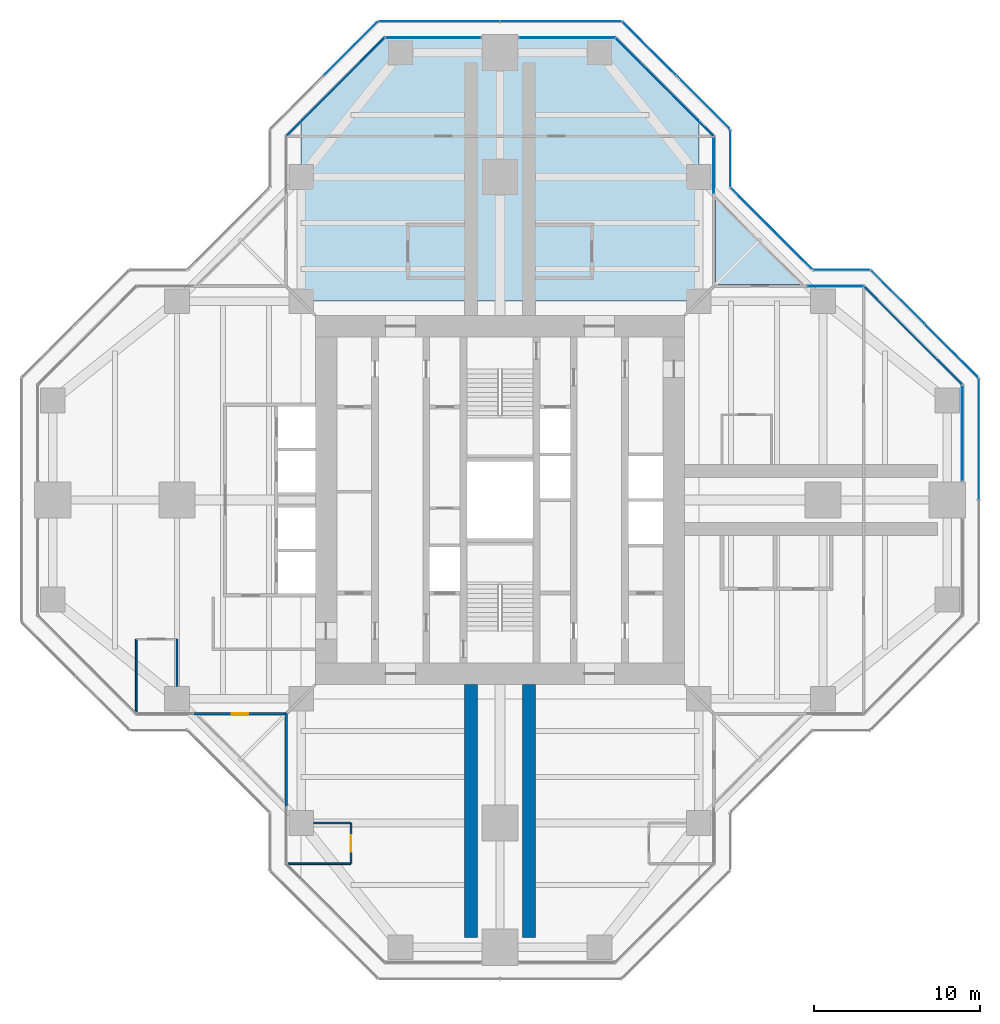
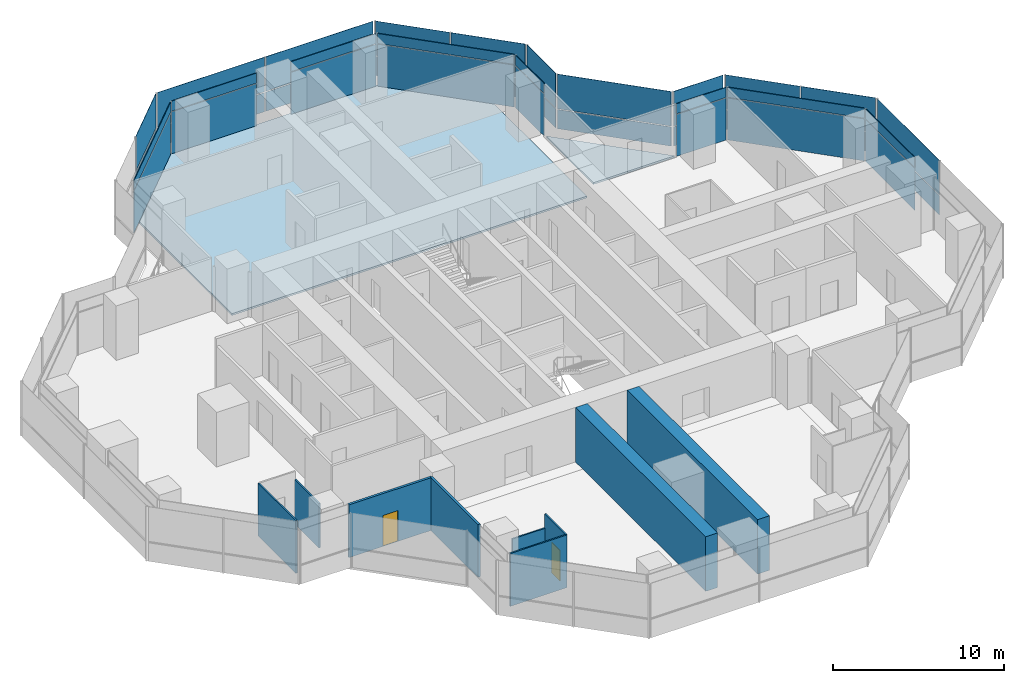
# One storey, part 12 of 17: 38 plates, 9 walls, 2 doors, 2 slabs, 2 openings, 16 elements without a shape of their own.
"""IFC4 building model written with IfcOpenShell, lengths in metres."""

from ifc_helpers import new_model, si_unit, direction, frame, frame_2d, origin, origin_2d, place, context, subcontext, project, spatial, polyline, rectangle, outline, extrude, material, layer, layer_set, type_object, element, fill, aggregate, save


model = new_model("IFC4")

# Units and contexts
model_context = context("Model", 3, precision=1e-05, world=origin(), true_north=direction((0.0, 1.0)))
body_context = subcontext(model_context, "Body", "Model", "MODEL_VIEW")
ifc_project = project(units=[si_unit("LENGTHUNIT", "METRE"), si_unit("AREAUNIT", "SQUARE_METRE"), si_unit("VOLUMEUNIT", "CUBIC_METRE"), si_unit("PLANEANGLEUNIT", "RADIAN"), si_unit("MASSUNIT", "GRAM", prefix="KILO")], contexts=[model_context])

# Site, building, storey
site_placement = place(None, origin())
site = spatial("IfcSite", under=ifc_project, at=site_placement, CompositionType="ELEMENT")
building_placement = place(site_placement, origin())
building = spatial("IfcBuilding", under=site, at=building_placement, Name="Mizan Broadcast Tower", CompositionType="ELEMENT")
storey_placement = place(building_placement, frame((0.0, 0.0, 228.300048828125)))
storey = spatial("IfcBuildingStorey", under=building, at=storey_placement, Name="L53", CompositionType="ELEMENT", Elevation=228.300048828125)

# Slab
ifc_material_1 = material(Name="Concrete C32/40", Category="concrete")
ifc_layer_1 = layer(ifc_material_1, 0.1298828125)
ifc_layer_set_1 = layer_set([ifc_layer_1], Name="Concrete C32/40")
slab_type_1 = type_object("IfcSlabType", Name="COMPOSITE DECK SLAB 130", PredefinedType="FLOOR", material=ifc_layer_set_1)
slab_1_placement = place(storey_placement, frame((0.0, 0.0, -0.130126953125)))
element("IfcSlab", 1, at=slab_1_placement, inside=storey, type_object=slab_type_1, Name="Floor slab L53 north arm", PredefinedType="FLOOR", context=body_context, shape_type="SweptSolid", body=[
    extrude(outline(polyline([(-7.0, 28.0), (-12.0, 23.0), (-12.0, 12.0), (12.0, 12.0), (12.0, 23.0), (7.0, 28.0), (-7.0, 28.0)])), origin(), (0.0, 0.0, 1.0), 0.130126953125),
])

# Curtain wall, plate
ifc_material_2 = material(Name="Aluminium framed glazing", Category="aluminium")
curtain_wall_type_1 = type_object("IfcCurtainWallType", Name="INNER SKIN HIGH ZONE", PredefinedType="USERDEFINED", material=ifc_material_2)
curtain_wall_1_placement = place(storey_placement, origin())
curtain_wall_1 = element("IfcCurtainWall", 2, at=curtain_wall_1_placement, inside=storey, type_object=curtain_wall_type_1, Name="Inner skin high zone L53 E end", ObjectType="INNER SKIN HIGH ZONE", PredefinedType="USERDEFINED")
ifc_material_3 = material(Name="Double glazing, clear low-e", Category="glass")
ifc_layer_2 = layer(ifc_material_3, 0.028076171875)
ifc_layer_set_2 = layer_set([ifc_layer_2], Name="Double glazing, clear low-e")
plate_type_1 = type_object("IfcPlateType", Name="INNER SKIN GLAZING UNIT", PredefinedType="CURTAIN_PANEL", material=ifc_layer_set_2)
plate_1_placement = place(storey_placement, frame((27.89990234375, 4.029296875, 0.0), z_axis=(0.0, 0.0, 1.0), x_axis=(0.0, 1.0, 0.0)))
plate_1 = element("IfcPlate", 3, at=plate_1_placement, type_object=plate_type_1, Name="Inner skin high zone L53 E end panel 1.1", PredefinedType="CURTAIN_PANEL", context=body_context, shape_type="SweptSolid", body=[
    extrude(rectangle(XDim=5.738525390625, YDim=0.028076171875, at=origin_2d()), origin(), (0.0, 0.0, 1.0), 3.0),
])

curtain_wall_2_placement = place(storey_placement, origin())
curtain_wall_2 = element("IfcCurtainWall", 4, at=curtain_wall_2_placement, inside=storey, type_object=curtain_wall_type_1, Name="Inner skin high zone L53 E chamfer", ObjectType="INNER SKIN HIGH ZONE", PredefinedType="USERDEFINED")
plate_2_placement = place(storey_placement, frame((24.92919921875, 9.92919921875, 0.0), z_axis=(0.0, 0.0, 1.0), x_axis=(-0.707106781187, 0.707106781187, 0.0)))
plate_2 = element("IfcPlate", 5, at=plate_2_placement, type_object=plate_type_1, Name="Inner skin high zone L53 E chamfer panel 1.1", PredefinedType="CURTAIN_PANEL", context=body_context, shape_type="SweptSolid", body=[
    extrude(rectangle(XDim=8.282470703125, YDim=0.028076171875, at=origin_2d()), origin(), (0.0, 0.0, 1.0), 3.0),
])

curtain_wall_3_placement = place(storey_placement, origin())
curtain_wall_3 = element("IfcCurtainWall", 6, at=curtain_wall_3_placement, inside=storey, type_object=curtain_wall_type_1, Name="Inner skin high zone L53 E side", ObjectType="INNER SKIN HIGH ZONE", PredefinedType="USERDEFINED")
plate_3_placement = place(storey_placement, frame((20.229248046875, 12.89990234375, 0.0), z_axis=(0.0, 0.0, 1.0), x_axis=(-1.0, 0.0, 0.0)))
plate_3 = element("IfcPlate", 7, at=plate_3_placement, type_object=plate_type_1, Name="Inner skin high zone L53 E side panel 1.1", PredefinedType="CURTAIN_PANEL", context=body_context, shape_type="SweptSolid", body=[
    extrude(rectangle(XDim=3.338623046875, YDim=0.028076171875, at=origin_2d()), origin(), (0.0, 0.0, 1.0), 3.0),
])

curtain_wall_4_placement = place(storey_placement, origin())
curtain_wall_4 = element("IfcCurtainWall", 8, at=curtain_wall_4_placement, inside=storey, type_object=curtain_wall_type_1, Name="Inner skin high zone L53 N side", ObjectType="INNER SKIN HIGH ZONE", PredefinedType="USERDEFINED")
plate_4_placement = place(storey_placement, frame((12.89990234375, 20.229248046875, 0.0), z_axis=(0.0, 0.0, 1.0), x_axis=(0.0, 1.0, 0.0)))
plate_4 = element("IfcPlate", 9, at=plate_4_placement, type_object=plate_type_1, Name="Inner skin high zone L53 N side panel 1.1", PredefinedType="CURTAIN_PANEL", context=body_context, shape_type="SweptSolid", body=[
    extrude(rectangle(XDim=3.338623046875, YDim=0.028076171875, at=origin_2d()), origin(), (0.0, 0.0, 1.0), 3.0),
])

curtain_wall_5_placement = place(storey_placement, origin())
curtain_wall_5 = element("IfcCurtainWall", 10, at=curtain_wall_5_placement, inside=storey, type_object=curtain_wall_type_1, Name="Inner skin high zone L53 N chamfer", ObjectType="INNER SKIN HIGH ZONE", PredefinedType="USERDEFINED")
plate_5_placement = place(storey_placement, frame((9.92919921875, 24.92919921875, 0.0), z_axis=(0.0, 0.0, 1.0), x_axis=(-0.707106781187, 0.707106781187, 0.0)))
plate_5 = element("IfcPlate", 11, at=plate_5_placement, type_object=plate_type_1, Name="Inner skin high zone L53 N chamfer panel 1.1", PredefinedType="CURTAIN_PANEL", context=body_context, shape_type="SweptSolid", body=[
    extrude(rectangle(XDim=8.282470703125, YDim=0.028076171875, at=origin_2d()), origin(), (0.0, 0.0, 1.0), 3.0),
])

curtain_wall_6_placement = place(storey_placement, origin())
curtain_wall_6 = element("IfcCurtainWall", 12, at=curtain_wall_6_placement, inside=storey, type_object=curtain_wall_type_1, Name="Inner skin high zone L53 N end", ObjectType="INNER SKIN HIGH ZONE", PredefinedType="USERDEFINED")
plate_6_placement = place(storey_placement, frame((4.029296875, 27.89990234375, 0.0), z_axis=(0.0, 0.0, 1.0), x_axis=(-1.0, 0.0, 0.0)))
plate_6 = element("IfcPlate", 13, at=plate_6_placement, type_object=plate_type_1, Name="Inner skin high zone L53 N end panel 1.1", PredefinedType="CURTAIN_PANEL", context=body_context, shape_type="SweptSolid", body=[
    extrude(rectangle(XDim=5.738525390625, YDim=0.028076171875, at=origin_2d()), origin(), (0.0, 0.0, 1.0), 3.0),
])

curtain_wall_7_placement = place(storey_placement, origin())
curtain_wall_7 = element("IfcCurtainWall", 14, at=curtain_wall_7_placement, inside=storey, type_object=curtain_wall_type_1, Name="Inner skin high zone L53 N end", ObjectType="INNER SKIN HIGH ZONE", PredefinedType="USERDEFINED")
plate_7_placement = place(storey_placement, frame((-4.029296875, 27.89990234375, 0.0), z_axis=(0.0, 0.0, 1.0), x_axis=(-1.0, 0.0, 0.0)))
plate_7 = element("IfcPlate", 15, at=plate_7_placement, type_object=plate_type_1, Name="Inner skin high zone L53 N end panel 1.1", PredefinedType="CURTAIN_PANEL", context=body_context, shape_type="SweptSolid", body=[
    extrude(rectangle(XDim=5.738525390625, YDim=0.028076171875, at=origin_2d()), origin(), (0.0, 0.0, 1.0), 3.0),
])

curtain_wall_8_placement = place(storey_placement, origin())
curtain_wall_8 = element("IfcCurtainWall", 16, at=curtain_wall_8_placement, inside=storey, type_object=curtain_wall_type_1, Name="Inner skin high zone L53 N chamfer", ObjectType="INNER SKIN HIGH ZONE", PredefinedType="USERDEFINED")
plate_8_placement = place(storey_placement, frame((-9.92919921875, 24.92919921875, 0.0), z_axis=(0.0, 0.0, 1.0), x_axis=(-0.707106781187, -0.707106781187, 0.0)))
plate_8 = element("IfcPlate", 17, at=plate_8_placement, type_object=plate_type_1, Name="Inner skin high zone L53 N chamfer panel 1.1", PredefinedType="CURTAIN_PANEL", context=body_context, shape_type="SweptSolid", body=[
    extrude(rectangle(XDim=8.282470703125, YDim=0.028076171875, at=origin_2d()), origin(), (0.0, 0.0, 1.0), 3.0),
])

# Plate
ifc_material_4 = material(Name="Insulated aluminium spandrel panel, pale anodised", Category="aluminium")
ifc_layer_3 = layer(ifc_material_4, 0.050048828125)
ifc_layer_set_3 = layer_set([ifc_layer_3], Name="Insulated aluminium spandrel panel, pale anodised")
plate_type_2 = type_object("IfcPlateType", Name="INNER SKIN SPANDREL PANEL", PredefinedType="CURTAIN_PANEL", material=ifc_layer_set_3)
plate_9_placement = place(storey_placement, frame((27.89990234375, 4.029296875, 3.06005859375), z_axis=(0.0, 0.0, 1.0), x_axis=(0.0, 1.0, 0.0)))
plate_9 = element("IfcPlate", 18, at=plate_9_placement, type_object=plate_type_2, Name="Inner skin high zone L53 E end panel 1.2", PredefinedType="CURTAIN_PANEL", context=body_context, shape_type="SweptSolid", body=[
    extrude(rectangle(XDim=5.738525390625, YDim=0.050048828125, at=origin_2d()), origin(), (0.0, 0.0, 1.0), 0.7099609375),
])

aggregate(curtain_wall_1, [plate_1, plate_9])

plate_10_placement = place(storey_placement, frame((24.92919921875, 9.92919921875, 3.06005859375), z_axis=(0.0, 0.0, 1.0), x_axis=(-0.707106781187, 0.707106781187, 0.0)))
plate_10 = element("IfcPlate", 19, at=plate_10_placement, type_object=plate_type_2, Name="Inner skin high zone L53 E chamfer panel 1.2", PredefinedType="CURTAIN_PANEL", context=body_context, shape_type="SweptSolid", body=[
    extrude(rectangle(XDim=8.282470703125, YDim=0.050048828125, at=origin_2d()), origin(), (0.0, 0.0, 1.0), 0.7099609375),
])

aggregate(curtain_wall_2, [plate_2, plate_10])

plate_11_placement = place(storey_placement, frame((20.229248046875, 12.89990234375, 3.06005859375), z_axis=(0.0, 0.0, 1.0), x_axis=(-1.0, 0.0, 0.0)))
plate_11 = element("IfcPlate", 20, at=plate_11_placement, type_object=plate_type_2, Name="Inner skin high zone L53 E side panel 1.2", PredefinedType="CURTAIN_PANEL", context=body_context, shape_type="SweptSolid", body=[
    extrude(rectangle(XDim=3.338623046875, YDim=0.050048828125, at=origin_2d()), origin(), (0.0, 0.0, 1.0), 0.7099609375),
])

aggregate(curtain_wall_3, [plate_3, plate_11])

plate_12_placement = place(storey_placement, frame((12.89990234375, 20.229248046875, 3.06005859375), z_axis=(0.0, 0.0, 1.0), x_axis=(0.0, 1.0, 0.0)))
plate_12 = element("IfcPlate", 21, at=plate_12_placement, type_object=plate_type_2, Name="Inner skin high zone L53 N side panel 1.2", PredefinedType="CURTAIN_PANEL", context=body_context, shape_type="SweptSolid", body=[
    extrude(rectangle(XDim=3.338623046875, YDim=0.050048828125, at=origin_2d()), origin(), (0.0, 0.0, 1.0), 0.7099609375),
])

aggregate(curtain_wall_4, [plate_4, plate_12])

plate_13_placement = place(storey_placement, frame((9.92919921875, 24.92919921875, 3.06005859375), z_axis=(0.0, 0.0, 1.0), x_axis=(-0.707106781187, 0.707106781187, 0.0)))
plate_13 = element("IfcPlate", 22, at=plate_13_placement, type_object=plate_type_2, Name="Inner skin high zone L53 N chamfer panel 1.2", PredefinedType="CURTAIN_PANEL", context=body_context, shape_type="SweptSolid", body=[
    extrude(rectangle(XDim=8.282470703125, YDim=0.050048828125, at=origin_2d()), origin(), (0.0, 0.0, 1.0), 0.7099609375),
])

aggregate(curtain_wall_5, [plate_5, plate_13])

plate_14_placement = place(storey_placement, frame((4.029296875, 27.89990234375, 3.06005859375), z_axis=(0.0, 0.0, 1.0), x_axis=(-1.0, 0.0, 0.0)))
plate_14 = element("IfcPlate", 23, at=plate_14_placement, type_object=plate_type_2, Name="Inner skin high zone L53 N end panel 1.2", PredefinedType="CURTAIN_PANEL", context=body_context, shape_type="SweptSolid", body=[
    extrude(rectangle(XDim=5.738525390625, YDim=0.050048828125, at=origin_2d()), origin(), (0.0, 0.0, 1.0), 0.7099609375),
])

aggregate(curtain_wall_6, [plate_6, plate_14])

plate_15_placement = place(storey_placement, frame((-4.029296875, 27.89990234375, 3.06005859375), z_axis=(0.0, 0.0, 1.0), x_axis=(-1.0, 0.0, 0.0)))
plate_15 = element("IfcPlate", 24, at=plate_15_placement, type_object=plate_type_2, Name="Inner skin high zone L53 N end panel 1.2", PredefinedType="CURTAIN_PANEL", context=body_context, shape_type="SweptSolid", body=[
    extrude(rectangle(XDim=5.738525390625, YDim=0.050048828125, at=origin_2d()), origin(), (0.0, 0.0, 1.0), 0.7099609375),
])

aggregate(curtain_wall_7, [plate_7, plate_15])

plate_16_placement = place(storey_placement, frame((-9.92919921875, 24.92919921875, 3.06005859375), z_axis=(0.0, 0.0, 1.0), x_axis=(-0.707106781187, -0.707106781187, 0.0)))
plate_16 = element("IfcPlate", 25, at=plate_16_placement, type_object=plate_type_2, Name="Inner skin high zone L53 N chamfer panel 1.2", PredefinedType="CURTAIN_PANEL", context=body_context, shape_type="SweptSolid", body=[
    extrude(rectangle(XDim=8.282470703125, YDim=0.050048828125, at=origin_2d()), origin(), (0.0, 0.0, 1.0), 0.7099609375),
])

aggregate(curtain_wall_8, [plate_8, plate_16])

# Curtain wall, plates
ifc_material_5 = material(Name="Aluminium framed glazing", Category="aluminium")
curtain_wall_type_2 = type_object("IfcCurtainWallType", Name="OUTER SKIN", PredefinedType="USERDEFINED", material=ifc_material_5)
curtain_wall_9_placement = place(storey_placement, origin())
curtain_wall_9 = element("IfcCurtainWall", 26, at=curtain_wall_9_placement, inside=storey, type_object=curtain_wall_type_2, Name="Outer skin L53 E chamfer", ObjectType="OUTER SKIN", PredefinedType="USERDEFINED")
ifc_material_6 = material(Name="Laminated clear glass", Category="glass")
ifc_layer_4 = layer(ifc_material_6, 0.02001953125)
ifc_layer_set_4 = layer_set([ifc_layer_4], Name="Laminated clear glass")
plate_type_3 = type_object("IfcPlateType", Name="OUTER SKIN CLEAR GLASS", PredefinedType="CURTAIN_PANEL", material=ifc_layer_set_4)
plate_17_placement = place(storey_placement, frame((27.254150390625, 9.018798828125, 0.0), z_axis=(0.0, 0.0, 1.0), x_axis=(-0.707106781187, 0.707106781187, 0.0)))
plate_17 = element("IfcPlate", 27, at=plate_17_placement, type_object=plate_type_3, Name="Outer skin L53 E chamfer panel 1.1", PredefinedType="CURTAIN_PANEL", context=body_context, shape_type="SweptSolid", body=[
    extrude(rectangle(XDim=4.495361328125, YDim=0.02001953125, at=origin_2d()), origin(), (0.0, 0.0, 1.0), 1.3701171875),
])
plate_18_placement = place(storey_placement, frame((27.254150390625, 9.018798828125, 1.43017578125), z_axis=(0.0, 0.0, 1.0), x_axis=(-0.707106781187, 0.707106781187, 0.0)))
plate_18 = element("IfcPlate", 28, at=plate_18_placement, type_object=plate_type_3, Name="Outer skin L53 E chamfer panel 1.2", PredefinedType="CURTAIN_PANEL", context=body_context, shape_type="SweptSolid", body=[
    extrude(rectangle(XDim=4.495361328125, YDim=0.02001953125, at=origin_2d()), origin(), (0.0, 0.0, 1.0), 2.469970703125),
])

curtain_wall_10_placement = place(storey_placement, origin())
curtain_wall_10 = element("IfcCurtainWall", 29, at=curtain_wall_10_placement, inside=storey, type_object=curtain_wall_type_2, Name="Outer skin L53 E side", ObjectType="OUTER SKIN", PredefinedType="USERDEFINED")
plate_19_placement = place(storey_placement, frame((20.622802734375, 13.89990234375, 0.0), z_axis=(0.0, 0.0, 1.0), x_axis=(-1.0, 0.0, 0.0)))
plate_19 = element("IfcPlate", 30, at=plate_19_placement, type_object=plate_type_3, Name="Outer skin L53 E side panel 1.1", PredefinedType="CURTAIN_PANEL", context=body_context, shape_type="SweptSolid", body=[
    extrude(rectangle(XDim=3.340087890625, YDim=0.02001953125, at=origin_2d()), origin(), (0.0, 0.0, 1.0), 1.3701171875),
])
plate_20_placement = place(storey_placement, frame((20.622802734375, 13.89990234375, 1.43017578125), z_axis=(0.0, 0.0, 1.0), x_axis=(-1.0, 0.0, 0.0)))
plate_20 = element("IfcPlate", 31, at=plate_20_placement, type_object=plate_type_3, Name="Outer skin L53 E side panel 1.2", PredefinedType="CURTAIN_PANEL", context=body_context, shape_type="SweptSolid", body=[
    extrude(rectangle(XDim=3.340087890625, YDim=0.02001953125, at=origin_2d()), origin(), (0.0, 0.0, 1.0), 2.469970703125),
])
aggregate(curtain_wall_10, [plate_19, plate_20])

curtain_wall_11_placement = place(storey_placement, origin())
curtain_wall_11 = element("IfcCurtainWall", 32, at=curtain_wall_11_placement, inside=storey, type_object=curtain_wall_type_2, Name="Outer skin L53 E chamfer", ObjectType="OUTER SKIN", PredefinedType="USERDEFINED")
plate_21_placement = place(storey_placement, frame((16.386474609375, 16.386474609375, 0.0), z_axis=(0.0, 0.0, 1.0), x_axis=(-0.707106781187, 0.707106781187, 0.0)))
plate_21 = element("IfcPlate", 33, at=plate_21_placement, type_object=plate_type_3, Name="Outer skin L53 E chamfer panel 1.1", PredefinedType="CURTAIN_PANEL", context=body_context, shape_type="SweptSolid", body=[
    extrude(rectangle(XDim=6.87255859375, YDim=0.02001953125, at=origin_2d()), origin(), (0.0, 0.0, 1.0), 1.3701171875),
])
plate_22_placement = place(storey_placement, frame((16.386474609375, 16.386474609375, 1.43017578125), z_axis=(0.0, 0.0, 1.0), x_axis=(-0.707106781187, 0.707106781187, 0.0)))
plate_22 = element("IfcPlate", 34, at=plate_22_placement, type_object=plate_type_3, Name="Outer skin L53 E chamfer panel 1.2", PredefinedType="CURTAIN_PANEL", context=body_context, shape_type="SweptSolid", body=[
    extrude(rectangle(XDim=6.87255859375, YDim=0.02001953125, at=origin_2d()), origin(), (0.0, 0.0, 1.0), 2.469970703125),
])
aggregate(curtain_wall_11, [plate_21, plate_22])

curtain_wall_12_placement = place(storey_placement, origin())
curtain_wall_12 = element("IfcCurtainWall", 35, at=curtain_wall_12_placement, inside=storey, type_object=curtain_wall_type_2, Name="Outer skin L53 N side", ObjectType="OUTER SKIN", PredefinedType="USERDEFINED")
plate_23_placement = place(storey_placement, frame((13.89990234375, 20.622802734375, 0.0), z_axis=(0.0, 0.0, 1.0), x_axis=(0.0, 1.0, 0.0)))
plate_23 = element("IfcPlate", 36, at=plate_23_placement, type_object=plate_type_3, Name="Outer skin L53 N side panel 1.1", PredefinedType="CURTAIN_PANEL", context=body_context, shape_type="SweptSolid", body=[
    extrude(rectangle(XDim=3.340087890625, YDim=0.02001953125, at=origin_2d()), origin(), (0.0, 0.0, 1.0), 1.3701171875),
])
plate_24_placement = place(storey_placement, frame((13.89990234375, 20.622802734375, 1.43017578125), z_axis=(0.0, 0.0, 1.0), x_axis=(0.0, 1.0, 0.0)))
plate_24 = element("IfcPlate", 37, at=plate_24_placement, type_object=plate_type_3, Name="Outer skin L53 N side panel 1.2", PredefinedType="CURTAIN_PANEL", context=body_context, shape_type="SweptSolid", body=[
    extrude(rectangle(XDim=3.340087890625, YDim=0.02001953125, at=origin_2d()), origin(), (0.0, 0.0, 1.0), 2.469970703125),
])
aggregate(curtain_wall_12, [plate_23, plate_24])

curtain_wall_13_placement = place(storey_placement, origin())
curtain_wall_13 = element("IfcCurtainWall", 38, at=curtain_wall_13_placement, inside=storey, type_object=curtain_wall_type_2, Name="Outer skin L53 N chamfer", ObjectType="OUTER SKIN", PredefinedType="USERDEFINED")
plate_25_placement = place(storey_placement, frame((12.254150390625, 24.018798828125, 0.0), z_axis=(0.0, 0.0, 1.0), x_axis=(-0.707106781187, 0.707106781187, 0.0)))
plate_25 = element("IfcPlate", 39, at=plate_25_placement, type_object=plate_type_3, Name="Outer skin L53 N chamfer panel 1.1", PredefinedType="CURTAIN_PANEL", context=body_context, shape_type="SweptSolid", body=[
    extrude(rectangle(XDim=4.495361328125, YDim=0.02001953125, at=origin_2d()), origin(), (0.0, 0.0, 1.0), 1.3701171875),
])
plate_26_placement = place(storey_placement, frame((12.254150390625, 24.018798828125, 1.43017578125), z_axis=(0.0, 0.0, 1.0), x_axis=(-0.707106781187, 0.707106781187, 0.0)))
plate_26 = element("IfcPlate", 40, at=plate_26_placement, type_object=plate_type_3, Name="Outer skin L53 N chamfer panel 1.2", PredefinedType="CURTAIN_PANEL", context=body_context, shape_type="SweptSolid", body=[
    extrude(rectangle(XDim=4.495361328125, YDim=0.02001953125, at=origin_2d()), origin(), (0.0, 0.0, 1.0), 2.469970703125),
])

curtain_wall_14_placement = place(storey_placement, origin())
curtain_wall_14 = element("IfcCurtainWall", 41, at=curtain_wall_14_placement, inside=storey, type_object=curtain_wall_type_2, Name="Outer skin L53 N end", ObjectType="OUTER SKIN", PredefinedType="USERDEFINED")
plate_27_placement = place(storey_placement, frame((3.66650390625, 28.89990234375, 0.0), z_axis=(0.0, 0.0, 1.0), x_axis=(-1.0, 0.0, 0.0)))
plate_27 = element("IfcPlate", 42, at=plate_27_placement, type_object=plate_type_3, Name="Outer skin L53 N end panel 1.1", PredefinedType="CURTAIN_PANEL", context=body_context, shape_type="SweptSolid", body=[
    extrude(rectangle(XDim=7.252685546875, YDim=0.02001953125, at=origin_2d()), origin(), (0.0, 0.0, 1.0), 1.3701171875),
])
plate_28_placement = place(storey_placement, frame((3.66650390625, 28.89990234375, 1.43017578125), z_axis=(0.0, 0.0, 1.0), x_axis=(-1.0, 0.0, 0.0)))
plate_28 = element("IfcPlate", 43, at=plate_28_placement, type_object=plate_type_3, Name="Outer skin L53 N end panel 1.2", PredefinedType="CURTAIN_PANEL", context=body_context, shape_type="SweptSolid", body=[
    extrude(rectangle(XDim=7.252685546875, YDim=0.02001953125, at=origin_2d()), origin(), (0.0, 0.0, 1.0), 2.469970703125),
])
plate_29_placement = place(storey_placement, frame((-3.66650390625, 28.89990234375, 0.0), z_axis=(0.0, 0.0, 1.0), x_axis=(-1.0, 0.0, 0.0)))
plate_29 = element("IfcPlate", 44, at=plate_29_placement, type_object=plate_type_3, Name="Outer skin L53 N end panel 2.1", PredefinedType="CURTAIN_PANEL", context=body_context, shape_type="SweptSolid", body=[
    extrude(rectangle(XDim=7.252685546875, YDim=0.02001953125, at=origin_2d()), origin(), (0.0, 0.0, 1.0), 1.3701171875),
])
plate_30_placement = place(storey_placement, frame((-3.66650390625, 28.89990234375, 1.43017578125), z_axis=(0.0, 0.0, 1.0), x_axis=(-1.0, 0.0, 0.0)))
plate_30 = element("IfcPlate", 45, at=plate_30_placement, type_object=plate_type_3, Name="Outer skin L53 N end panel 2.2", PredefinedType="CURTAIN_PANEL", context=body_context, shape_type="SweptSolid", body=[
    extrude(rectangle(XDim=7.252685546875, YDim=0.02001953125, at=origin_2d()), origin(), (0.0, 0.0, 1.0), 2.469970703125),
])
aggregate(curtain_wall_14, [plate_27, plate_28, plate_29, plate_30])

curtain_wall_15_placement = place(storey_placement, origin())
curtain_wall_15 = element("IfcCurtainWall", 46, at=curtain_wall_15_placement, inside=storey, type_object=curtain_wall_type_2, Name="Outer skin L53 N chamfer", ObjectType="OUTER SKIN", PredefinedType="USERDEFINED")
plate_31_placement = place(storey_placement, frame((-9.018798828125, 27.254150390625, 0.0), z_axis=(0.0, 0.0, 1.0), x_axis=(-0.707106781187, -0.707106781187, 0.0)))
plate_31 = element("IfcPlate", 47, at=plate_31_placement, type_object=plate_type_3, Name="Outer skin L53 N chamfer panel 1.1", PredefinedType="CURTAIN_PANEL", context=body_context, shape_type="SweptSolid", body=[
    extrude(rectangle(XDim=4.495361328125, YDim=0.02001953125, at=origin_2d()), origin(), (0.0, 0.0, 1.0), 1.3701171875),
])
plate_32_placement = place(storey_placement, frame((-9.018798828125, 27.254150390625, 1.43017578125), z_axis=(0.0, 0.0, 1.0), x_axis=(-0.707106781187, -0.707106781187, 0.0)))
plate_32 = element("IfcPlate", 48, at=plate_32_placement, type_object=plate_type_3, Name="Outer skin L53 N chamfer panel 1.2", PredefinedType="CURTAIN_PANEL", context=body_context, shape_type="SweptSolid", body=[
    extrude(rectangle(XDim=4.495361328125, YDim=0.02001953125, at=origin_2d()), origin(), (0.0, 0.0, 1.0), 2.469970703125),
])
aggregate(curtain_wall_15, [plate_31, plate_32])

curtain_wall_16_placement = place(storey_placement, origin())
curtain_wall_16 = element("IfcCurtainWall", 49, at=curtain_wall_16_placement, inside=storey, type_object=curtain_wall_type_2, Name="Outer skin L53 E end", ObjectType="OUTER SKIN", PredefinedType="USERDEFINED")
ifc_material_7 = material(Name="Perforated aluminium, pale anodised", Category="aluminium")
ifc_layer_5 = layer(ifc_material_7, 0.011962890625)
ifc_layer_set_5 = layer_set([ifc_layer_5], Name="Perforated aluminium, pale anodised")
plate_type_4 = type_object("IfcPlateType", Name="OUTER SKIN PERFORATED SCREEN", PredefinedType="USERDEFINED", material=ifc_layer_set_5)
plate_33_placement = place(storey_placement, frame((28.89990234375, 3.66650390625, 0.0), z_axis=(0.0, 0.0, 1.0), x_axis=(0.0, 1.0, 0.0)))
plate_33 = element("IfcPlate", 50, at=plate_33_placement, type_object=plate_type_4, Name="Outer skin L53 E end panel 2.1", ObjectType="SCREEN", PredefinedType="USERDEFINED", context=body_context, shape_type="SweptSolid", body=[
    extrude(rectangle(XDim=7.252685546875, YDim=0.011962890625, at=origin_2d()), origin(), (0.0, 0.0, 1.0), 1.3701171875),
])
plate_34_placement = place(storey_placement, frame((28.89990234375, 3.66650390625, 1.43017578125), z_axis=(0.0, 0.0, 1.0), x_axis=(0.0, 1.0, 0.0)))
plate_34 = element("IfcPlate", 51, at=plate_34_placement, type_object=plate_type_4, Name="Outer skin L53 E end panel 2.2", ObjectType="SCREEN", PredefinedType="USERDEFINED", context=body_context, shape_type="SweptSolid", body=[
    extrude(rectangle(XDim=7.252685546875, YDim=0.011962890625, at=origin_2d()), origin(), (0.0, 0.0, 1.0), 2.469970703125),
])
aggregate(curtain_wall_16, [plate_33, plate_34])

# Plate
plate_35_placement = place(storey_placement, frame((24.018798828125, 12.254150390625, 0.0), z_axis=(0.0, 0.0, 1.0), x_axis=(-0.707106781187, 0.707106781187, 0.0)))
plate_35 = element("IfcPlate", 52, at=plate_35_placement, type_object=plate_type_4, Name="Outer skin L53 E chamfer panel 2.1", ObjectType="SCREEN", PredefinedType="USERDEFINED", context=body_context, shape_type="SweptSolid", body=[
    extrude(rectangle(XDim=4.495361328125, YDim=0.011962890625, at=origin_2d()), origin(), (0.0, 0.0, 1.0), 1.3701171875),
])

plate_36_placement = place(storey_placement, frame((24.018798828125, 12.254150390625, 1.43017578125), z_axis=(0.0, 0.0, 1.0), x_axis=(-0.707106781187, 0.707106781187, 0.0)))
plate_36 = element("IfcPlate", 53, at=plate_36_placement, type_object=plate_type_4, Name="Outer skin L53 E chamfer panel 2.2", ObjectType="SCREEN", PredefinedType="USERDEFINED", context=body_context, shape_type="SweptSolid", body=[
    extrude(rectangle(XDim=4.495361328125, YDim=0.011962890625, at=origin_2d()), origin(), (0.0, 0.0, 1.0), 2.469970703125),
])

aggregate(curtain_wall_9, [plate_17, plate_18, plate_35, plate_36])

plate_37_placement = place(storey_placement, frame((9.018798828125, 27.254150390625, 0.0), z_axis=(0.0, 0.0, 1.0), x_axis=(-0.707106781187, 0.707106781187, 0.0)))
plate_37 = element("IfcPlate", 54, at=plate_37_placement, type_object=plate_type_4, Name="Outer skin L53 N chamfer panel 2.1", ObjectType="SCREEN", PredefinedType="USERDEFINED", context=body_context, shape_type="SweptSolid", body=[
    extrude(rectangle(XDim=4.495361328125, YDim=0.011962890625, at=origin_2d()), origin(), (0.0, 0.0, 1.0), 1.3701171875),
])

plate_38_placement = place(storey_placement, frame((9.018798828125, 27.254150390625, 1.43017578125), z_axis=(0.0, 0.0, 1.0), x_axis=(-0.707106781187, 0.707106781187, 0.0)))
plate_38 = element("IfcPlate", 55, at=plate_38_placement, type_object=plate_type_4, Name="Outer skin L53 N chamfer panel 2.2", ObjectType="SCREEN", PredefinedType="USERDEFINED", context=body_context, shape_type="SweptSolid", body=[
    extrude(rectangle(XDim=4.495361328125, YDim=0.011962890625, at=origin_2d()), origin(), (0.0, 0.0, 1.0), 2.469970703125),
])

aggregate(curtain_wall_13, [plate_25, plate_26, plate_37, plate_38])

# Slab
ifc_material_8 = material(Name="Concrete C32/40", Category="concrete")
ifc_layer_6 = layer(ifc_material_8, 0.1298828125)
ifc_layer_set_6 = layer_set([ifc_layer_6], Name="Concrete C32/40")
slab_type_2 = type_object("IfcSlabType", Name="WINTER GARDEN SLAB 130", PredefinedType="FLOOR", material=ifc_layer_set_6)
slab_2_placement = place(storey_placement, frame((0.0, 0.0, -0.130126953125)))
element("IfcSlab", 56, at=slab_2_placement, inside=storey, type_object=slab_type_2, Name="Winter garden slab L53 E", PredefinedType="FLOOR", context=body_context, shape_type="SweptSolid", body=[
    extrude(outline(polyline([(13.0, 13.0), (18.5, 13.0), (13.0, 18.5), (13.0, 13.0)])), origin(), (0.0, 0.0, 1.0), 0.130126953125),
])

# Wall, opening, door
ifc_material_9 = material(Name="Aluminium framed glazed screen", Category="aluminium")
ifc_layer_7 = layer(ifc_material_9, 0.159912109375)
ifc_layer_set_7 = layer_set([ifc_layer_7], Name="Aluminium framed glazed screen")
wall_type_1 = type_object("IfcWallType", Name="GLAZED SCREEN WALL 160", PredefinedType="SOLIDWALL", material=ifc_layer_set_7)
wall_1_placement = place(storey_placement, frame((-18.5, -12.89990234375, 0.0), z_axis=(0.0, 0.0, 1.0), x_axis=(1.0, 0.0, 0.0)))
wall_1 = element("IfcWall", 57, at=wall_1_placement, inside=storey, type_object=wall_type_1, Name="Winter garden screen L53 W", PredefinedType="SOLIDWALL", context=body_context, shape_type="SweptSolid", body=[
    extrude(rectangle(XDim=5.60009765625, YDim=0.159912109375, at=frame_2d((2.800048828125, 0.0))), origin(), (0.0, 0.0, 1.0), 3.77001953125),
])
opening_1_placement = place(wall_1_placement, frame((2.300048828125, 0.0, 0.0)))
opening_1 = element("IfcOpeningElement", 58, at=opening_1_placement, cuts=wall_1, Name="Opening WGD", PredefinedType="OPENING", context=body_context, shape_type="SweptSolid", body=[
    extrude(rectangle(XDim=1.0, YDim=2.199951171875, at=frame_2d((0.5, 1.10009765625))), frame((0.0, 0.08984375, 0.0), z_axis=(0.0, -1.0, 0.0), x_axis=(1.0, 0.0, 0.0)), (0.0, 0.0, 1.0), 0.179931640625),
])
ifc_material_10 = material(Name="Aluminium framed glazed door", Category="aluminium")
door_type_1 = type_object("IfcDoorType", Name="WINTER GARDEN DOOR 1000 GLAZED", OperationType="SINGLE_SWING_LEFT", PredefinedType="DOOR", material=ifc_material_10)
door_1_placement = place(opening_1_placement, origin())
door_1 = element("IfcDoor", 59, at=door_1_placement, inside=storey, type_object=door_type_1, Name="Winter garden door L53 W", OperationType="SINGLE_SWING_RIGHT", OverallHeight=2.199951171875, OverallWidth=1.0, PredefinedType="DOOR", context=body_context, shape_type="SweptSolid", body=[
    extrude(rectangle(XDim=1.0, YDim=2.199951171875, at=frame_2d((0.5, 1.10009765625))), frame((0.0, 0.02490234375, 0.0), z_axis=(0.0, -1.0, 0.0), x_axis=(1.0, 0.0, 0.0)), (0.0, 0.0, 1.0), 0.050048828125),
])
fill(opening_1, door_1)

# Walls
wall_2_placement = place(storey_placement, frame((-12.89990234375, -12.89990234375, 0.0), z_axis=(0.0, 0.0, 1.0), x_axis=(0.0, -1.0, 0.0)))
element("IfcWall", 60, at=wall_2_placement, inside=storey, type_object=wall_type_1, Name="Winter garden screen L53 S", PredefinedType="SOLIDWALL", context=body_context, shape_type="SweptSolid", body=[
    extrude(rectangle(XDim=5.60009765625, YDim=0.159912109375, at=frame_2d((2.800048828125, 0.0))), origin(), (0.0, 0.0, 1.0), 3.77001953125),
])
ifc_material_11 = material(Name="Glazed aluminium partition on aluminium track", Category="aluminium")
ifc_layer_8 = layer(ifc_material_11, 0.10009765625)
ifc_layer_set_8 = layer_set([ifc_layer_8], Name="Glazed aluminium partition on aluminium track")
wall_type_2 = type_object("IfcWallType", Name="PARTITION GLAZED OFFICE FRONT 100", PredefinedType="PARTITIONING", material=ifc_layer_set_8)
wall_3_placement = place(storey_placement, frame((-19.5, -8.39990234375, 0.0), z_axis=(0.0, 0.0, 1.0), x_axis=(0.0, -1.0, 0.0)))
element("IfcWall", 61, at=wall_3_placement, inside=storey, type_object=wall_type_2, Name="Glazed office front PT/WQP1950", PredefinedType="PARTITIONING", context=body_context, shape_type="SweptSolid", body=[
    extrude(rectangle(XDim=2.85009765625, YDim=0.10009765625, at=frame_2d((1.425048828125, 0.0))), origin(), (0.0, 0.0, 1.0), 3.179931640625),
])
wall_4_placement = place(storey_placement, frame((-21.958984375, -8.39990234375, 0.0), z_axis=(0.0, 0.0, 1.0), x_axis=(0.0, -1.0, 0.0)))
element("IfcWall", 62, at=wall_4_placement, inside=storey, type_object=wall_type_2, Name="Glazed office front PT/WQP2196", PredefinedType="PARTITIONING", context=body_context, shape_type="SweptSolid", body=[
    extrude(rectangle(XDim=4.420166015625, YDim=0.10009765625, at=frame_2d((2.2099609375, 0.0))), origin(), (0.0, 0.0, 1.0), 3.77001953125),
])

# Wall, opening, door
wall_5_placement = place(storey_placement, frame((-9.0, -19.5, 0.0), z_axis=(0.0, 0.0, 1.0), x_axis=(0.0, -1.0, 0.0)))
wall_5 = element("IfcWall", 63, at=wall_5_placement, inside=storey, type_object=wall_type_2, Name="Glazed office front PT/SCN0", PredefinedType="PARTITIONING", context=body_context, shape_type="SweptSolid", body=[
    extrude(rectangle(XDim=2.458984375, YDim=0.10009765625, at=frame_2d((1.2294921875, 0.0))), origin(), (0.0, 0.0, 1.0), 3.77001953125),
])
opening_2_placement = place(wall_5_placement, frame((0.7294921875, 0.0, 0.0)))
opening_2 = element("IfcOpeningElement", 64, at=opening_2_placement, cuts=wall_5, Name="Opening D10O", PredefinedType="OPENING", context=body_context, shape_type="SweptSolid", body=[
    extrude(rectangle(XDim=1.0, YDim=2.199951171875, at=frame_2d((0.5, 1.10009765625))), frame((0.0, 0.06005859375, 0.0), z_axis=(0.0, -1.0, 0.0), x_axis=(1.0, 0.0, 0.0)), (0.0, 0.0, 1.0), 0.1201171875),
])
ifc_material_12 = material(Name="Timber door leaf in aluminium frame", Category="wood")
door_type_2 = type_object("IfcDoorType", Name="OFFICE DOOR 1000 GLAZED", OperationType="SINGLE_SWING_LEFT", PredefinedType="DOOR", material=ifc_material_12)
door_2_placement = place(opening_2_placement, origin())
door_2 = element("IfcDoor", 65, at=door_2_placement, inside=storey, type_object=door_type_2, Name="Office door", OperationType="SINGLE_SWING_LEFT", OverallHeight=2.199951171875, OverallWidth=1.0, PredefinedType="DOOR", context=body_context, shape_type="SweptSolid", body=[
    extrude(rectangle(XDim=1.0, YDim=2.199951171875, at=frame_2d((0.5, 1.10009765625))), frame((0.0, 0.02490234375, 0.0), z_axis=(0.0, -1.0, 0.0), x_axis=(1.0, 0.0, 0.0)), (0.0, 0.0, 1.0), 0.050048828125),
])
fill(opening_2, door_2)

# Walls
wall_6_placement = place(storey_placement, frame((-9.0, -19.5, 0.0), z_axis=(0.0, 0.0, 1.0), x_axis=(-1.0, 0.0, 0.0)))
element("IfcWall", 66, at=wall_6_placement, inside=storey, type_object=wall_type_2, Name="Glazed office front PT/SQN1950", PredefinedType="PARTITIONING", context=body_context, shape_type="SweptSolid", body=[
    extrude(rectangle(XDim=2.25, YDim=0.10009765625, at=frame_2d((1.125, 0.0))), origin(), (0.0, 0.0, 1.0), 2.77001953125),
])
wall_7_placement = place(storey_placement, frame((-9.0, -21.958984375, 0.0), z_axis=(0.0, 0.0, 1.0), x_axis=(-1.0, 0.0, 0.0)))
element("IfcWall", 67, at=wall_7_placement, inside=storey, type_object=wall_type_2, Name="Glazed office front PT/SQN2196", PredefinedType="PARTITIONING", context=body_context, shape_type="SweptSolid", body=[
    extrude(rectangle(XDim=3.820068359375, YDim=0.10009765625, at=frame_2d((1.91015625, 0.0))), origin(), (0.0, 0.0, 1.0), 3.77001953125),
])
ifc_material_13 = material(Name="Concrete C70/85", Category="concrete")
ifc_layer_9 = layer(ifc_material_13, 0.800048828125)
ifc_layer_set_9 = layer_set([ifc_layer_9], Name="Concrete C70/85")
wall_type_3 = type_object("IfcWallType", Name="SPINE WALL 800", PredefinedType="SHEAR", material=ifc_layer_set_9)
for number, where, z_axis, x_axis, name in (
    (68, (-1.75, -11.14990234375, 0.0), (0.0, 0.0, 1.0), (0.0, -1.0, 0.0), "Spine wall SR L53"),
    (69, (1.75, -11.14990234375, 0.0), (0.0, 0.0, 1.0), (0.0, -1.0, 0.0), "Spine wall SL L53"),
):
    element("IfcWall", number, at=place(storey_placement, frame(where, z_axis=z_axis, x_axis=x_axis)), inside=storey, type_object=wall_type_3, Name=name, PredefinedType="SHEAR", context=body_context, shape_type="SweptSolid", body=[
        extrude(rectangle(XDim=15.25, YDim=0.800048828125, at=frame_2d((7.625, 0.0))), origin(), (0.0, 0.0, 1.0), 3.89990234375),
    ])

save(model, "model.ifc")
